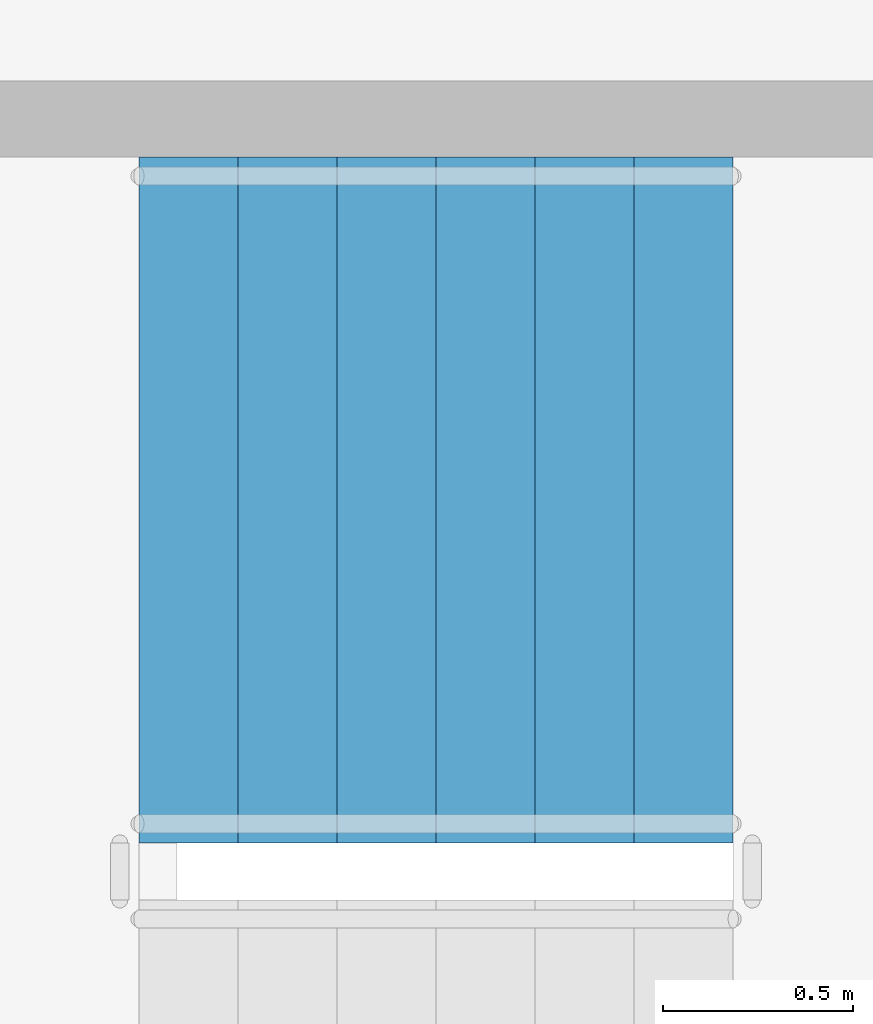
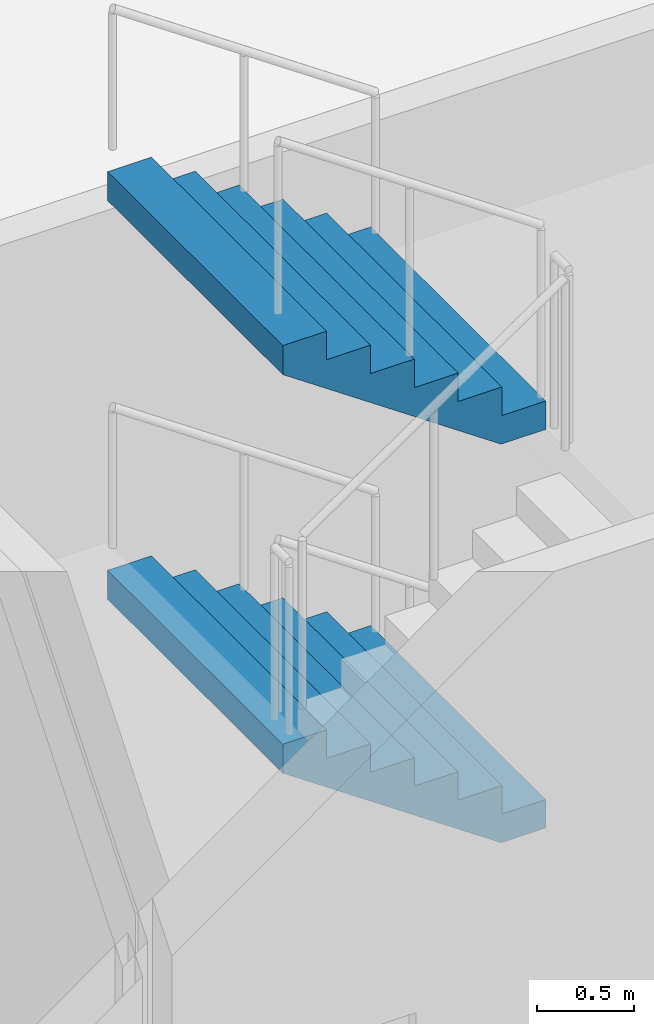
# One storey, part 39 of 59: 2 stair flights, 1 element without a shape of its own.
"""IFC4 building model written with IfcOpenShell, lengths in metres."""

from ifc_helpers import new_model, si_unit, direction, frame, origin, place, context, subcontext, project, spatial, faceted_brep, material, type_object, element, aggregate, save


model = new_model("IFC4")

# Units and contexts
model_context = context("Model", 3, precision=1e-05, world=origin(), true_north=direction((0.0, 1.0)))
body_context = subcontext(model_context, "Body", "Model", "MODEL_VIEW")
ifc_project = project(units=[si_unit("LENGTHUNIT", "METRE"), si_unit("AREAUNIT", "SQUARE_METRE"), si_unit("VOLUMEUNIT", "CUBIC_METRE"), si_unit("PLANEANGLEUNIT", "RADIAN"), si_unit("MASSUNIT", "GRAM", prefix="KILO")], contexts=[model_context])

# Site, building, storey
site_placement = place(None, origin())
site = spatial("IfcSite", under=ifc_project, at=site_placement, CompositionType="ELEMENT")
building_placement = place(site_placement, origin())
building = spatial("IfcBuilding", under=site, at=building_placement, Name="Ipe Terrace Towers", CompositionType="ELEMENT")
storey_placement = place(building_placement, frame((0.0, 0.0, 6.0)))
storey = spatial("IfcBuildingStorey", under=building, at=storey_placement, Name="L01", CompositionType="ELEMENT", Elevation=6.0)

# Stair, stair flights
ifc_material_1 = material(Name="Concrete C30/37", Category="concrete")
stair_type = type_object("IfcStairType", Name="Protected exit stair", PredefinedType="HALF_TURN_STAIR", material=ifc_material_1)
stair_placement = place(storey_placement, origin())
stair = element("IfcStair", 1, at=stair_placement, inside=storey, type_object=stair_type, Name="L01 Podium exit stair PS6", PredefinedType="HALF_TURN_STAIR")
ifc_material_2 = material(Name="Concrete C30/37", Category="concrete")
stair_flight_type = type_object("IfcStairFlightType", Name="Exit stair flight 1800", PredefinedType="STRAIGHT", material=ifc_material_2)
stair_flight_1_placement = place(storey_placement, frame((51.330078125, -20.550048828125, 1.25), z_axis=(0.0, 0.0, 1.0), x_axis=(-1.0, 0.0, 0.0)))
stair_flight_1 = element("IfcStairFlight", 2, at=stair_flight_1_placement, type_object=stair_flight_type, Name="PS6 flight 2", NumberOfRisers=7, NumberOfTreads=6, PredefinedType="STRAIGHT", RiserHeight=0.178571429, TreadLength=0.26, context=body_context, shape_type="Brep", body=[
    faceted_brep([(0.264892578125, -0.89990234375, 0.0), (1.56005859375, -0.89990234375, 0.8896484375), (1.56005859375, -0.89990234375, 1.071533203125), (1.300048828125, -0.89990234375, 1.071533203125), (1.300048828125, -0.89990234375, 0.892822265625), (1.0400390625, -0.89990234375, 0.892822265625), (1.0400390625, -0.89990234375, 0.71435546875), (0.780029296875, -0.89990234375, 0.71435546875), (0.780029296875, -0.89990234375, 0.53564453125), (0.52001953125, -0.89990234375, 0.53564453125), (0.52001953125, -0.89990234375, 0.357177734375), (0.260009765625, -0.89990234375, 0.357177734375), (0.260009765625, -0.89990234375, 0.178466796875), (0.0, -0.89990234375, 0.178466796875), (0.0, -0.89990234375, 0.0), (0.0, 0.89990234375, 0.0), (0.0, 0.89990234375, 0.178466796875), (0.260009765625, 0.89990234375, 0.178466796875), (0.260009765625, 0.89990234375, 0.357177734375), (0.52001953125, 0.89990234375, 0.357177734375), (0.52001953125, 0.89990234375, 0.53564453125), (0.780029296875, 0.89990234375, 0.53564453125), (0.780029296875, 0.89990234375, 0.71435546875), (1.0400390625, 0.89990234375, 0.71435546875), (1.0400390625, 0.89990234375, 0.892822265625), (1.300048828125, 0.89990234375, 0.892822265625), (1.300048828125, 0.89990234375, 1.071533203125), (1.56005859375, 0.89990234375, 1.071533203125), (1.56005859375, 0.89990234375, 0.8896484375), (0.264892578125, 0.89990234375, 0.0), (0.0, -0.300048828125, 0.178466796875), (0.0, -0.1201171875, 0.178466796875), (0.0, -0.06005859375, 0.178466796875), (0.0, -0.030029296875, 0.178466796875), (0.0, -0.010009765625, 0.178466796875), (0.0, 0.0, 0.178466796875), (0.0, 0.010009765625, 0.178466796875), (0.0, 0.030029296875, 0.178466796875), (0.0, 0.06005859375, 0.178466796875), (0.0, 0.1201171875, 0.178466796875), (0.0, 0.300048828125, 0.178466796875), (0.0, 0.300048828125, 0.0), (0.0, 0.1201171875, 0.0), (0.0, 0.06005859375, 0.0), (0.0, 0.030029296875, 0.0), (0.0, 0.010009765625, 0.0), (0.0, 0.0, 0.0), (0.0, -0.010009765625, 0.0), (0.0, -0.030029296875, 0.0), (0.0, -0.06005859375, 0.0), (0.0, -0.1201171875, 0.0), (0.0, -0.300048828125, 0.0), (0.260009765625, -0.300048828125, 0.178466796875), (0.260009765625, -0.1201171875, 0.178466796875), (0.260009765625, -0.06005859375, 0.178466796875), (0.260009765625, -0.030029296875, 0.178466796875), (0.260009765625, -0.010009765625, 0.178466796875), (0.260009765625, 0.0, 0.178466796875), (0.260009765625, 0.010009765625, 0.178466796875), (0.260009765625, 0.030029296875, 0.178466796875), (0.260009765625, 0.06005859375, 0.178466796875), (0.260009765625, 0.1201171875, 0.178466796875), (0.260009765625, 0.300048828125, 0.178466796875), (0.260009765625, -0.300048828125, 0.357177734375), (0.260009765625, -0.1201171875, 0.357177734375), (0.260009765625, -0.06005859375, 0.357177734375), (0.260009765625, -0.030029296875, 0.357177734375), (0.260009765625, -0.010009765625, 0.357177734375), (0.260009765625, 0.0, 0.357177734375), (0.260009765625, 0.010009765625, 0.357177734375), (0.260009765625, 0.030029296875, 0.357177734375), (0.260009765625, 0.06005859375, 0.357177734375), (0.260009765625, 0.1201171875, 0.357177734375), (0.260009765625, 0.300048828125, 0.357177734375), (0.52001953125, -0.300048828125, 0.357177734375), (0.52001953125, -0.1201171875, 0.357177734375), (0.52001953125, -0.06005859375, 0.357177734375), (0.52001953125, -0.030029296875, 0.357177734375), (0.52001953125, -0.010009765625, 0.357177734375), (0.52001953125, 0.0, 0.357177734375), (0.52001953125, 0.010009765625, 0.357177734375), (0.52001953125, 0.030029296875, 0.357177734375), (0.52001953125, 0.06005859375, 0.357177734375), (0.52001953125, 0.1201171875, 0.357177734375), (0.52001953125, 0.300048828125, 0.357177734375), (0.52001953125, -0.300048828125, 0.53564453125), (0.52001953125, -0.1201171875, 0.53564453125), (0.52001953125, -0.06005859375, 0.53564453125), (0.52001953125, -0.030029296875, 0.53564453125), (0.52001953125, -0.010009765625, 0.53564453125), (0.52001953125, 0.0, 0.53564453125), (0.52001953125, 0.010009765625, 0.53564453125), (0.52001953125, 0.030029296875, 0.53564453125), (0.52001953125, 0.06005859375, 0.53564453125), (0.52001953125, 0.1201171875, 0.53564453125), (0.52001953125, 0.300048828125, 0.53564453125), (0.780029296875, -0.300048828125, 0.53564453125), (0.780029296875, -0.1201171875, 0.53564453125), (0.780029296875, -0.06005859375, 0.53564453125), (0.780029296875, -0.030029296875, 0.53564453125), (0.780029296875, -0.010009765625, 0.53564453125), (0.780029296875, 0.0, 0.53564453125), (0.780029296875, 0.010009765625, 0.53564453125), (0.780029296875, 0.030029296875, 0.53564453125), (0.780029296875, 0.06005859375, 0.53564453125), (0.780029296875, 0.1201171875, 0.53564453125), (0.780029296875, 0.300048828125, 0.53564453125), (0.780029296875, -0.300048828125, 0.71435546875), (0.780029296875, -0.1201171875, 0.71435546875), (0.780029296875, -0.06005859375, 0.71435546875), (0.780029296875, -0.030029296875, 0.71435546875), (0.780029296875, -0.010009765625, 0.71435546875), (0.780029296875, 0.0, 0.71435546875), (0.780029296875, 0.010009765625, 0.71435546875), (0.780029296875, 0.030029296875, 0.71435546875), (0.780029296875, 0.06005859375, 0.71435546875), (0.780029296875, 0.1201171875, 0.71435546875), (0.780029296875, 0.300048828125, 0.71435546875), (1.0400390625, -0.300048828125, 0.71435546875), (1.0400390625, -0.1201171875, 0.71435546875), (1.0400390625, -0.06005859375, 0.71435546875), (1.0400390625, -0.030029296875, 0.71435546875), (1.0400390625, -0.010009765625, 0.71435546875), (1.0400390625, 0.0, 0.71435546875), (1.0400390625, 0.010009765625, 0.71435546875), (1.0400390625, 0.030029296875, 0.71435546875), (1.0400390625, 0.06005859375, 0.71435546875), (1.0400390625, 0.1201171875, 0.71435546875), (1.0400390625, 0.300048828125, 0.71435546875), (1.0400390625, -0.300048828125, 0.892822265625), (1.0400390625, -0.1201171875, 0.892822265625), (1.0400390625, -0.06005859375, 0.892822265625), (1.0400390625, -0.030029296875, 0.892822265625), (1.0400390625, -0.010009765625, 0.892822265625), (1.0400390625, 0.0, 0.892822265625), (1.0400390625, 0.010009765625, 0.892822265625), (1.0400390625, 0.030029296875, 0.892822265625), (1.0400390625, 0.06005859375, 0.892822265625), (1.0400390625, 0.1201171875, 0.892822265625), (1.0400390625, 0.300048828125, 0.892822265625), (1.300048828125, -0.300048828125, 0.892822265625), (1.300048828125, -0.1201171875, 0.892822265625), (1.300048828125, -0.06005859375, 0.892822265625), (1.300048828125, -0.030029296875, 0.892822265625), (1.300048828125, -0.010009765625, 0.892822265625), (1.300048828125, 0.0, 0.892822265625), (1.300048828125, 0.010009765625, 0.892822265625), (1.300048828125, 0.030029296875, 0.892822265625), (1.300048828125, 0.06005859375, 0.892822265625), (1.300048828125, 0.1201171875, 0.892822265625), (1.300048828125, 0.300048828125, 0.892822265625), (1.300048828125, -0.300048828125, 1.071533203125), (1.300048828125, -0.1201171875, 1.071533203125), (1.300048828125, -0.06005859375, 1.071533203125), (1.300048828125, -0.030029296875, 1.071533203125), (1.300048828125, -0.010009765625, 1.071533203125), (1.300048828125, 0.0, 1.071533203125), (1.300048828125, 0.010009765625, 1.071533203125), (1.300048828125, 0.030029296875, 1.071533203125), (1.300048828125, 0.06005859375, 1.071533203125), (1.300048828125, 0.1201171875, 1.071533203125), (1.300048828125, 0.300048828125, 1.071533203125), (1.56005859375, -0.300048828125, 1.071533203125), (1.56005859375, -0.1201171875, 1.071533203125), (1.56005859375, -0.06005859375, 1.071533203125), (1.56005859375, -0.030029296875, 1.071533203125), (1.56005859375, -0.010009765625, 1.071533203125), (1.56005859375, 0.0, 1.071533203125), (1.56005859375, 0.010009765625, 1.071533203125), (1.56005859375, 0.030029296875, 1.071533203125), (1.56005859375, 0.06005859375, 1.071533203125), (1.56005859375, 0.1201171875, 1.071533203125), (1.56005859375, 0.300048828125, 1.071533203125), (1.56005859375, -0.300048828125, 0.8896484375), (1.56005859375, -0.1201171875, 0.8896484375), (1.56005859375, -0.06005859375, 0.8896484375), (1.56005859375, -0.030029296875, 0.8896484375), (1.56005859375, -0.010009765625, 0.8896484375), (1.56005859375, 0.0, 0.8896484375), (1.56005859375, 0.010009765625, 0.8896484375), (1.56005859375, 0.030029296875, 0.8896484375), (1.56005859375, 0.06005859375, 0.8896484375), (1.56005859375, 0.1201171875, 0.8896484375), (1.56005859375, 0.300048828125, 0.8896484375), (0.264892578125, -0.300048828125, 0.0), (0.264892578125, -0.1201171875, 0.0), (0.264892578125, -0.06005859375, 0.0), (0.264892578125, -0.030029296875, 0.0), (0.264892578125, -0.010009765625, 0.0), (0.264892578125, 0.0, 0.0), (0.264892578125, 0.010009765625, 0.0), (0.264892578125, 0.030029296875, 0.0), (0.264892578125, 0.06005859375, 0.0), (0.264892578125, 0.1201171875, 0.0), (0.264892578125, 0.300048828125, 0.0)], [[[0, 1, 2, 3, 4, 5, 6, 7, 8, 9, 10, 11, 12, 13, 14]], [[15, 16, 17, 18, 19, 20, 21, 22, 23, 24, 25, 26, 27, 28, 29]], [[13, 30, 31, 32, 33, 34, 35, 36, 37, 38, 39, 40, 16, 15, 41, 42, 43, 44, 45, 46, 47, 48, 49, 50, 51, 14]], [[12, 52, 53, 54, 55, 56, 57, 58, 59, 60, 61, 62, 17, 16, 40, 39, 38, 37, 36, 35, 34, 33, 32, 31, 30, 13]], [[11, 63, 64, 65, 66, 67, 68, 69, 70, 71, 72, 73, 18, 17, 62, 61, 60, 59, 58, 57, 56, 55, 54, 53, 52, 12]], [[10, 74, 75, 76, 77, 78, 79, 80, 81, 82, 83, 84, 19, 18, 73, 72, 71, 70, 69, 68, 67, 66, 65, 64, 63, 11]], [[9, 85, 86, 87, 88, 89, 90, 91, 92, 93, 94, 95, 20, 19, 84, 83, 82, 81, 80, 79, 78, 77, 76, 75, 74, 10]], [[8, 96, 97, 98, 99, 100, 101, 102, 103, 104, 105, 106, 21, 20, 95, 94, 93, 92, 91, 90, 89, 88, 87, 86, 85, 9]], [[7, 107, 108, 109, 110, 111, 112, 113, 114, 115, 116, 117, 22, 21, 106, 105, 104, 103, 102, 101, 100, 99, 98, 97, 96, 8]], [[6, 118, 119, 120, 121, 122, 123, 124, 125, 126, 127, 128, 23, 22, 117, 116, 115, 114, 113, 112, 111, 110, 109, 108, 107, 7]], [[5, 129, 130, 131, 132, 133, 134, 135, 136, 137, 138, 139, 24, 23, 128, 127, 126, 125, 124, 123, 122, 121, 120, 119, 118, 6]], [[4, 140, 141, 142, 143, 144, 145, 146, 147, 148, 149, 150, 25, 24, 139, 138, 137, 136, 135, 134, 133, 132, 131, 130, 129, 5]], [[3, 151, 152, 153, 154, 155, 156, 157, 158, 159, 160, 161, 26, 25, 150, 149, 148, 147, 146, 145, 144, 143, 142, 141, 140, 4]], [[2, 162, 163, 164, 165, 166, 167, 168, 169, 170, 171, 172, 27, 26, 161, 160, 159, 158, 157, 156, 155, 154, 153, 152, 151, 3]], [[1, 173, 174, 175, 176, 177, 178, 179, 180, 181, 182, 183, 28, 27, 172, 171, 170, 169, 168, 167, 166, 165, 164, 163, 162, 2]], [[0, 184, 185, 186, 187, 188, 189, 190, 191, 192, 193, 194, 29, 28, 183, 182, 181, 180, 179, 178, 177, 176, 175, 174, 173, 1]], [[14, 51, 50, 49, 48, 47, 46, 45, 44, 43, 42, 41, 15, 29, 194, 193, 192, 191, 190, 189, 188, 187, 186, 185, 184, 0]]]),
])
stair_flight_2_placement = place(storey_placement, frame((51.330078125, -20.550048828125, 3.75), z_axis=(0.0, 0.0, 1.0), x_axis=(-1.0, 0.0, 0.0)))
stair_flight_2 = element("IfcStairFlight", 3, at=stair_flight_2_placement, type_object=stair_flight_type, Name="PS6 flight 4", NumberOfRisers=7, NumberOfTreads=6, PredefinedType="STRAIGHT", RiserHeight=0.178571429, TreadLength=0.26, context=body_context, shape_type="Brep", body=[
    faceted_brep([(0.264892578125, -0.89990234375, 0.0), (1.56005859375, -0.89990234375, 0.8896484375), (1.56005859375, -0.89990234375, 1.071533203125), (1.300048828125, -0.89990234375, 1.071533203125), (1.300048828125, -0.89990234375, 0.892822265625), (1.0400390625, -0.89990234375, 0.892822265625), (1.0400390625, -0.89990234375, 0.71435546875), (0.780029296875, -0.89990234375, 0.71435546875), (0.780029296875, -0.89990234375, 0.53564453125), (0.52001953125, -0.89990234375, 0.53564453125), (0.52001953125, -0.89990234375, 0.357177734375), (0.260009765625, -0.89990234375, 0.357177734375), (0.260009765625, -0.89990234375, 0.178466796875), (0.0, -0.89990234375, 0.178466796875), (0.0, -0.89990234375, 0.0), (0.0, 0.89990234375, 0.0), (0.0, 0.89990234375, 0.178466796875), (0.260009765625, 0.89990234375, 0.178466796875), (0.260009765625, 0.89990234375, 0.357177734375), (0.52001953125, 0.89990234375, 0.357177734375), (0.52001953125, 0.89990234375, 0.53564453125), (0.780029296875, 0.89990234375, 0.53564453125), (0.780029296875, 0.89990234375, 0.71435546875), (1.0400390625, 0.89990234375, 0.71435546875), (1.0400390625, 0.89990234375, 0.892822265625), (1.300048828125, 0.89990234375, 0.892822265625), (1.300048828125, 0.89990234375, 1.071533203125), (1.56005859375, 0.89990234375, 1.071533203125), (1.56005859375, 0.89990234375, 0.8896484375), (0.264892578125, 0.89990234375, 0.0), (0.0, -0.300048828125, 0.178466796875), (0.0, -0.1201171875, 0.178466796875), (0.0, -0.06005859375, 0.178466796875), (0.0, -0.030029296875, 0.178466796875), (0.0, -0.010009765625, 0.178466796875), (0.0, 0.0, 0.178466796875), (0.0, 0.010009765625, 0.178466796875), (0.0, 0.030029296875, 0.178466796875), (0.0, 0.06005859375, 0.178466796875), (0.0, 0.1201171875, 0.178466796875), (0.0, 0.300048828125, 0.178466796875), (0.0, 0.300048828125, 0.0), (0.0, 0.1201171875, 0.0), (0.0, 0.06005859375, 0.0), (0.0, 0.030029296875, 0.0), (0.0, 0.010009765625, 0.0), (0.0, 0.0, 0.0), (0.0, -0.010009765625, 0.0), (0.0, -0.030029296875, 0.0), (0.0, -0.06005859375, 0.0), (0.0, -0.1201171875, 0.0), (0.0, -0.300048828125, 0.0), (0.260009765625, -0.300048828125, 0.178466796875), (0.260009765625, -0.1201171875, 0.178466796875), (0.260009765625, -0.06005859375, 0.178466796875), (0.260009765625, -0.030029296875, 0.178466796875), (0.260009765625, -0.010009765625, 0.178466796875), (0.260009765625, 0.0, 0.178466796875), (0.260009765625, 0.010009765625, 0.178466796875), (0.260009765625, 0.030029296875, 0.178466796875), (0.260009765625, 0.06005859375, 0.178466796875), (0.260009765625, 0.1201171875, 0.178466796875), (0.260009765625, 0.300048828125, 0.178466796875), (0.260009765625, -0.300048828125, 0.357177734375), (0.260009765625, -0.1201171875, 0.357177734375), (0.260009765625, -0.06005859375, 0.357177734375), (0.260009765625, -0.030029296875, 0.357177734375), (0.260009765625, -0.010009765625, 0.357177734375), (0.260009765625, 0.0, 0.357177734375), (0.260009765625, 0.010009765625, 0.357177734375), (0.260009765625, 0.030029296875, 0.357177734375), (0.260009765625, 0.06005859375, 0.357177734375), (0.260009765625, 0.1201171875, 0.357177734375), (0.260009765625, 0.300048828125, 0.357177734375), (0.52001953125, -0.300048828125, 0.357177734375), (0.52001953125, -0.1201171875, 0.357177734375), (0.52001953125, -0.06005859375, 0.357177734375), (0.52001953125, -0.030029296875, 0.357177734375), (0.52001953125, -0.010009765625, 0.357177734375), (0.52001953125, 0.0, 0.357177734375), (0.52001953125, 0.010009765625, 0.357177734375), (0.52001953125, 0.030029296875, 0.357177734375), (0.52001953125, 0.06005859375, 0.357177734375), (0.52001953125, 0.1201171875, 0.357177734375), (0.52001953125, 0.300048828125, 0.357177734375), (0.52001953125, -0.300048828125, 0.53564453125), (0.52001953125, -0.1201171875, 0.53564453125), (0.52001953125, -0.06005859375, 0.53564453125), (0.52001953125, -0.030029296875, 0.53564453125), (0.52001953125, -0.010009765625, 0.53564453125), (0.52001953125, 0.0, 0.53564453125), (0.52001953125, 0.010009765625, 0.53564453125), (0.52001953125, 0.030029296875, 0.53564453125), (0.52001953125, 0.06005859375, 0.53564453125), (0.52001953125, 0.1201171875, 0.53564453125), (0.52001953125, 0.300048828125, 0.53564453125), (0.780029296875, -0.300048828125, 0.53564453125), (0.780029296875, -0.1201171875, 0.53564453125), (0.780029296875, -0.06005859375, 0.53564453125), (0.780029296875, -0.030029296875, 0.53564453125), (0.780029296875, -0.010009765625, 0.53564453125), (0.780029296875, 0.0, 0.53564453125), (0.780029296875, 0.010009765625, 0.53564453125), (0.780029296875, 0.030029296875, 0.53564453125), (0.780029296875, 0.06005859375, 0.53564453125), (0.780029296875, 0.1201171875, 0.53564453125), (0.780029296875, 0.300048828125, 0.53564453125), (0.780029296875, -0.300048828125, 0.71435546875), (0.780029296875, -0.1201171875, 0.71435546875), (0.780029296875, -0.06005859375, 0.71435546875), (0.780029296875, -0.030029296875, 0.71435546875), (0.780029296875, -0.010009765625, 0.71435546875), (0.780029296875, 0.0, 0.71435546875), (0.780029296875, 0.010009765625, 0.71435546875), (0.780029296875, 0.030029296875, 0.71435546875), (0.780029296875, 0.06005859375, 0.71435546875), (0.780029296875, 0.1201171875, 0.71435546875), (0.780029296875, 0.300048828125, 0.71435546875), (1.0400390625, -0.300048828125, 0.71435546875), (1.0400390625, -0.1201171875, 0.71435546875), (1.0400390625, -0.06005859375, 0.71435546875), (1.0400390625, -0.030029296875, 0.71435546875), (1.0400390625, -0.010009765625, 0.71435546875), (1.0400390625, 0.0, 0.71435546875), (1.0400390625, 0.010009765625, 0.71435546875), (1.0400390625, 0.030029296875, 0.71435546875), (1.0400390625, 0.06005859375, 0.71435546875), (1.0400390625, 0.1201171875, 0.71435546875), (1.0400390625, 0.300048828125, 0.71435546875), (1.0400390625, -0.300048828125, 0.892822265625), (1.0400390625, -0.1201171875, 0.892822265625), (1.0400390625, -0.06005859375, 0.892822265625), (1.0400390625, -0.030029296875, 0.892822265625), (1.0400390625, -0.010009765625, 0.892822265625), (1.0400390625, 0.0, 0.892822265625), (1.0400390625, 0.010009765625, 0.892822265625), (1.0400390625, 0.030029296875, 0.892822265625), (1.0400390625, 0.06005859375, 0.892822265625), (1.0400390625, 0.1201171875, 0.892822265625), (1.0400390625, 0.300048828125, 0.892822265625), (1.300048828125, -0.300048828125, 0.892822265625), (1.300048828125, -0.1201171875, 0.892822265625), (1.300048828125, -0.06005859375, 0.892822265625), (1.300048828125, -0.030029296875, 0.892822265625), (1.300048828125, -0.010009765625, 0.892822265625), (1.300048828125, 0.0, 0.892822265625), (1.300048828125, 0.010009765625, 0.892822265625), (1.300048828125, 0.030029296875, 0.892822265625), (1.300048828125, 0.06005859375, 0.892822265625), (1.300048828125, 0.1201171875, 0.892822265625), (1.300048828125, 0.300048828125, 0.892822265625), (1.300048828125, -0.300048828125, 1.071533203125), (1.300048828125, -0.1201171875, 1.071533203125), (1.300048828125, -0.06005859375, 1.071533203125), (1.300048828125, -0.030029296875, 1.071533203125), (1.300048828125, -0.010009765625, 1.071533203125), (1.300048828125, 0.0, 1.071533203125), (1.300048828125, 0.010009765625, 1.071533203125), (1.300048828125, 0.030029296875, 1.071533203125), (1.300048828125, 0.06005859375, 1.071533203125), (1.300048828125, 0.1201171875, 1.071533203125), (1.300048828125, 0.300048828125, 1.071533203125), (1.56005859375, -0.300048828125, 1.071533203125), (1.56005859375, -0.1201171875, 1.071533203125), (1.56005859375, -0.06005859375, 1.071533203125), (1.56005859375, -0.030029296875, 1.071533203125), (1.56005859375, -0.010009765625, 1.071533203125), (1.56005859375, 0.0, 1.071533203125), (1.56005859375, 0.010009765625, 1.071533203125), (1.56005859375, 0.030029296875, 1.071533203125), (1.56005859375, 0.06005859375, 1.071533203125), (1.56005859375, 0.1201171875, 1.071533203125), (1.56005859375, 0.300048828125, 1.071533203125), (1.56005859375, -0.300048828125, 0.8896484375), (1.56005859375, -0.1201171875, 0.8896484375), (1.56005859375, -0.06005859375, 0.8896484375), (1.56005859375, -0.030029296875, 0.8896484375), (1.56005859375, -0.010009765625, 0.8896484375), (1.56005859375, 0.0, 0.8896484375), (1.56005859375, 0.010009765625, 0.8896484375), (1.56005859375, 0.030029296875, 0.8896484375), (1.56005859375, 0.06005859375, 0.8896484375), (1.56005859375, 0.1201171875, 0.8896484375), (1.56005859375, 0.300048828125, 0.8896484375), (0.264892578125, -0.300048828125, 0.0), (0.264892578125, -0.1201171875, 0.0), (0.264892578125, -0.06005859375, 0.0), (0.264892578125, -0.030029296875, 0.0), (0.264892578125, -0.010009765625, 0.0), (0.264892578125, 0.0, 0.0), (0.264892578125, 0.010009765625, 0.0), (0.264892578125, 0.030029296875, 0.0), (0.264892578125, 0.06005859375, 0.0), (0.264892578125, 0.1201171875, 0.0), (0.264892578125, 0.300048828125, 0.0)], [[[0, 1, 2, 3, 4, 5, 6, 7, 8, 9, 10, 11, 12, 13, 14]], [[15, 16, 17, 18, 19, 20, 21, 22, 23, 24, 25, 26, 27, 28, 29]], [[13, 30, 31, 32, 33, 34, 35, 36, 37, 38, 39, 40, 16, 15, 41, 42, 43, 44, 45, 46, 47, 48, 49, 50, 51, 14]], [[12, 52, 53, 54, 55, 56, 57, 58, 59, 60, 61, 62, 17, 16, 40, 39, 38, 37, 36, 35, 34, 33, 32, 31, 30, 13]], [[11, 63, 64, 65, 66, 67, 68, 69, 70, 71, 72, 73, 18, 17, 62, 61, 60, 59, 58, 57, 56, 55, 54, 53, 52, 12]], [[10, 74, 75, 76, 77, 78, 79, 80, 81, 82, 83, 84, 19, 18, 73, 72, 71, 70, 69, 68, 67, 66, 65, 64, 63, 11]], [[9, 85, 86, 87, 88, 89, 90, 91, 92, 93, 94, 95, 20, 19, 84, 83, 82, 81, 80, 79, 78, 77, 76, 75, 74, 10]], [[8, 96, 97, 98, 99, 100, 101, 102, 103, 104, 105, 106, 21, 20, 95, 94, 93, 92, 91, 90, 89, 88, 87, 86, 85, 9]], [[7, 107, 108, 109, 110, 111, 112, 113, 114, 115, 116, 117, 22, 21, 106, 105, 104, 103, 102, 101, 100, 99, 98, 97, 96, 8]], [[6, 118, 119, 120, 121, 122, 123, 124, 125, 126, 127, 128, 23, 22, 117, 116, 115, 114, 113, 112, 111, 110, 109, 108, 107, 7]], [[5, 129, 130, 131, 132, 133, 134, 135, 136, 137, 138, 139, 24, 23, 128, 127, 126, 125, 124, 123, 122, 121, 120, 119, 118, 6]], [[4, 140, 141, 142, 143, 144, 145, 146, 147, 148, 149, 150, 25, 24, 139, 138, 137, 136, 135, 134, 133, 132, 131, 130, 129, 5]], [[3, 151, 152, 153, 154, 155, 156, 157, 158, 159, 160, 161, 26, 25, 150, 149, 148, 147, 146, 145, 144, 143, 142, 141, 140, 4]], [[2, 162, 163, 164, 165, 166, 167, 168, 169, 170, 171, 172, 27, 26, 161, 160, 159, 158, 157, 156, 155, 154, 153, 152, 151, 3]], [[1, 173, 174, 175, 176, 177, 178, 179, 180, 181, 182, 183, 28, 27, 172, 171, 170, 169, 168, 167, 166, 165, 164, 163, 162, 2]], [[0, 184, 185, 186, 187, 188, 189, 190, 191, 192, 193, 194, 29, 28, 183, 182, 181, 180, 179, 178, 177, 176, 175, 174, 173, 1]], [[14, 51, 50, 49, 48, 47, 46, 45, 44, 43, 42, 41, 15, 29, 194, 193, 192, 191, 190, 189, 188, 187, 186, 185, 184, 0]]]),
])
aggregate(stair, [stair_flight_1, stair_flight_2])

save(model, "model.ifc")
